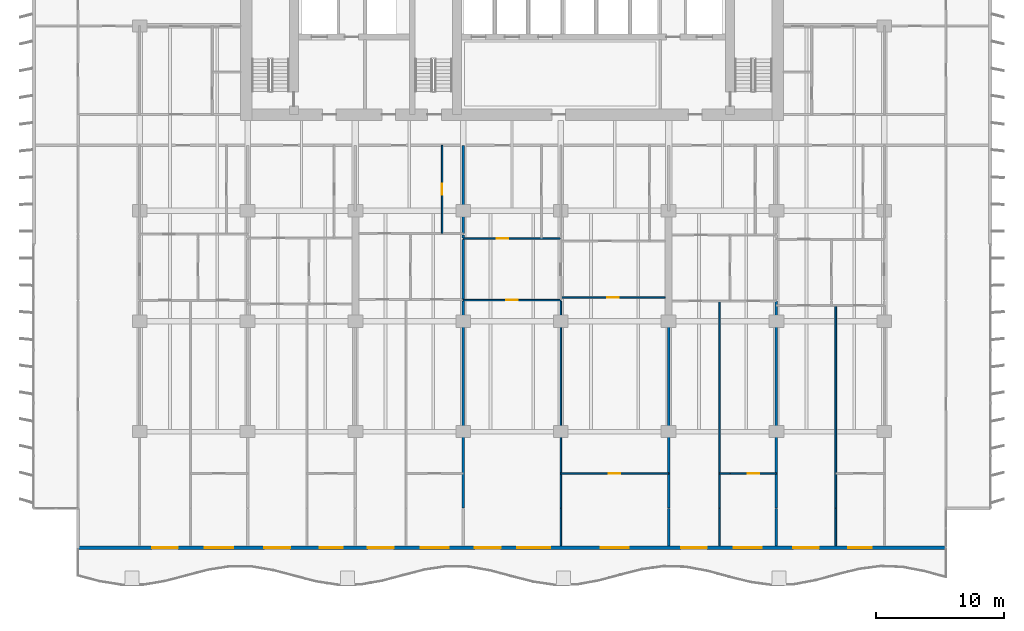
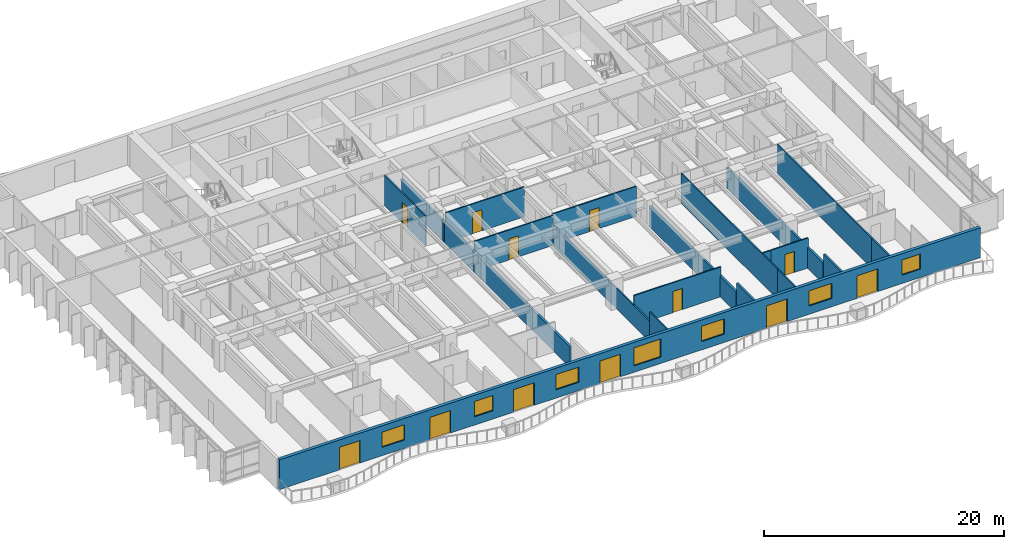
# One storey, part 8 of 17: 22 walls, 12 doors, 7 windows, 19 openings.
"""IFC4 building model written with IfcOpenShell, lengths in metres."""

from ifc_helpers import new_model, si_unit, direction, frame, frame_2d, origin, place, context, subcontext, project, spatial, rectangle, extrude, material, layer, layer_set, type_object, element, fill, save


model = new_model("IFC4")

# Units and contexts
model_context = context("Model", 3, precision=1e-05, world=origin(), true_north=direction((0.0, 1.0)))
body_context = subcontext(model_context, "Body", "Model", "MODEL_VIEW")
ifc_project = project(units=[si_unit("LENGTHUNIT", "METRE"), si_unit("AREAUNIT", "SQUARE_METRE"), si_unit("VOLUMEUNIT", "CUBIC_METRE"), si_unit("PLANEANGLEUNIT", "RADIAN"), si_unit("MASSUNIT", "GRAM", prefix="KILO")], contexts=[model_context])

# Site, building, storey
site_placement = place(None, origin())
site = spatial("IfcSite", under=ifc_project, at=site_placement, CompositionType="ELEMENT")
building_placement = place(site_placement, origin())
building = spatial("IfcBuilding", under=site, at=building_placement, Name="Caelmar Bay Residences", CompositionType="ELEMENT")
storey_placement = place(building_placement, frame((0.0, 0.0, 30.0)))
storey = spatial("IfcBuildingStorey", under=building, at=storey_placement, Name="L06", CompositionType="ELEMENT", Elevation=30.0)

# Wall, openings, doors, windows
ifc_material_1 = material(Name="Precast concrete f'c 40 MPa (6,000 psi)", Category="concrete")
ifc_layer_1 = layer(ifc_material_1, 0.300048828125)
ifc_layer_set_1 = layer_set([ifc_layer_1], Name="Precast concrete f'c 40 MPa (6,000 psi)")
wall_type_1 = type_object("IfcWallType", Name="W-EXT-300", PredefinedType="STANDARD", material=ifc_layer_set_1)
wall_1_placement = place(storey_placement, frame((72.699951171875, 3.14990234375, 0.0), z_axis=(0.0, 0.0, 1.0), x_axis=(-1.0, 0.0, 0.0)))
wall_1 = element("IfcWall", 1, at=wall_1_placement, inside=storey, type_object=wall_type_1, Name="L06 South Bayfront Exterior Wall", PredefinedType="STANDARD", context=body_context, shape_type="SweptSolid", body=[
    extrude(rectangle(XDim=67.599853515625, YDim=0.300048828125, at=frame_2d((33.7998046875, 0.0))), origin(), (0.0, 0.0, 1.0), 3.050048828125),
])
opening_1_placement = place(wall_1_placement, frame((59.825927734375, 0.0, 0.0)))
opening_1 = element("IfcOpeningElement", 2, at=opening_1_placement, cuts=wall_1, Name="Opening L06-BD01", PredefinedType="OPENING", context=body_context, shape_type="SweptSolid", body=[
    extrude(rectangle(XDim=2.0, YDim=2.300048828125, at=frame_2d((1.0, 1.14990234375))), frame((0.0, 0.159912109375, 0.0), z_axis=(0.0, -1.0, 0.0), x_axis=(1.0, 0.0, 0.0)), (0.0, 0.0, 1.0), 0.320068359375),
])
opening_2_placement = place(wall_1_placement, frame((55.52587890625, 0.0, 0.85009765625)))
opening_2 = element("IfcOpeningElement", 3, at=opening_2_placement, cuts=wall_1, Name="Opening WN2", PredefinedType="OPENING", context=body_context, shape_type="SweptSolid", body=[
    extrude(rectangle(XDim=2.199951171875, YDim=1.550048828125, at=frame_2d((1.10009765625, 0.77490234375))), frame((0.0, 0.159912109375, 0.0), z_axis=(0.0, -1.0, 0.0), x_axis=(1.0, 0.0, 0.0)), (0.0, 0.0, 1.0), 0.320068359375),
])
opening_3_placement = place(wall_1_placement, frame((51.090087890625, 0.0, 0.0)))
opening_3 = element("IfcOpeningElement", 4, at=opening_3_placement, cuts=wall_1, Name="Opening L06-BD02", PredefinedType="OPENING", context=body_context, shape_type="SweptSolid", body=[
    extrude(rectangle(XDim=2.0, YDim=2.300048828125, at=frame_2d((1.0, 1.14990234375))), frame((0.0, 0.159912109375, 0.0), z_axis=(0.0, -1.0, 0.0), x_axis=(1.0, 0.0, 0.0)), (0.0, 0.0, 1.0), 0.320068359375),
])
opening_4_placement = place(wall_1_placement, frame((46.989990234375, 0.0, 0.85009765625)))
opening_4 = element("IfcOpeningElement", 5, at=opening_4_placement, cuts=wall_1, Name="Opening WN1", PredefinedType="OPENING", context=body_context, shape_type="SweptSolid", body=[
    extrude(rectangle(XDim=1.800048828125, YDim=1.550048828125, at=frame_2d((0.89990234375, 0.77490234375))), frame((0.0, 0.159912109375, 0.0), z_axis=(0.0, -1.0, 0.0), x_axis=(1.0, 0.0, 0.0)), (0.0, 0.0, 1.0), 0.320068359375),
])
opening_5_placement = place(wall_1_placement, frame((43.02587890625, 0.0, 0.0)))
opening_5 = element("IfcOpeningElement", 6, at=opening_5_placement, cuts=wall_1, Name="Opening L06-BD03", PredefinedType="OPENING", context=body_context, shape_type="SweptSolid", body=[
    extrude(rectangle(XDim=2.0, YDim=2.300048828125, at=frame_2d((1.0, 1.14990234375))), frame((0.0, 0.159912109375, 0.0), z_axis=(0.0, -1.0, 0.0), x_axis=(1.0, 0.0, 0.0)), (0.0, 0.0, 1.0), 0.320068359375),
])
opening_6_placement = place(wall_1_placement, frame((38.72607421875, 0.0, 0.85009765625)))
opening_6 = element("IfcOpeningElement", 7, at=opening_6_placement, cuts=wall_1, Name="Opening WN2", PredefinedType="OPENING", context=body_context, shape_type="SweptSolid", body=[
    extrude(rectangle(XDim=2.199951171875, YDim=1.550048828125, at=frame_2d((1.10009765625, 0.77490234375))), frame((0.0, 0.159912109375, 0.0), z_axis=(0.0, -1.0, 0.0), x_axis=(1.0, 0.0, 0.0)), (0.0, 0.0, 1.0), 0.320068359375),
])
opening_7_placement = place(wall_1_placement, frame((34.68994140625, 0.0, 0.0)))
opening_7 = element("IfcOpeningElement", 8, at=opening_7_placement, cuts=wall_1, Name="Opening L06-BD04", PredefinedType="OPENING", context=body_context, shape_type="SweptSolid", body=[
    extrude(rectangle(XDim=2.0, YDim=2.300048828125, at=frame_2d((1.0, 1.14990234375))), frame((0.0, 0.159912109375, 0.0), z_axis=(0.0, -1.0, 0.0), x_axis=(1.0, 0.0, 0.0)), (0.0, 0.0, 1.0), 0.320068359375),
])
opening_8_placement = place(wall_1_placement, frame((30.81005859375, 0.0, 0.64990234375)))
opening_8 = element("IfcOpeningElement", 9, at=opening_8_placement, cuts=wall_1, Name="Opening WN3", PredefinedType="OPENING", context=body_context, shape_type="SweptSolid", body=[
    extrude(rectangle(XDim=2.60009765625, YDim=1.85009765625, at=frame_2d((1.300048828125, 0.925048828125))), frame((0.0, 0.159912109375, 0.0), z_axis=(0.0, -1.0, 0.0), x_axis=(1.0, 0.0, 0.0)), (0.0, 0.0, 1.0), 0.320068359375),
])
opening_9_placement = place(wall_1_placement, frame((24.699951171875, 0.0, 0.85009765625)))
opening_9 = element("IfcOpeningElement", 10, at=opening_9_placement, cuts=wall_1, Name="Opening WN2", PredefinedType="OPENING", context=body_context, shape_type="SweptSolid", body=[
    extrude(rectangle(XDim=2.199951171875, YDim=1.550048828125, at=frame_2d((1.10009765625, 0.77490234375))), frame((0.0, 0.159912109375, 0.0), z_axis=(0.0, -1.0, 0.0), x_axis=(1.0, 0.0, 0.0)), (0.0, 0.0, 1.0), 0.320068359375),
])
opening_10_placement = place(wall_1_placement, frame((18.6259765625, 0.0, 0.0)))
opening_10 = element("IfcOpeningElement", 11, at=opening_10_placement, cuts=wall_1, Name="Opening L06-BD05", PredefinedType="OPENING", context=body_context, shape_type="SweptSolid", body=[
    extrude(rectangle(XDim=2.0, YDim=2.300048828125, at=frame_2d((1.0, 1.14990234375))), frame((0.0, 0.159912109375, 0.0), z_axis=(0.0, -1.0, 0.0), x_axis=(1.0, 0.0, 0.0)), (0.0, 0.0, 1.0), 0.320068359375),
])
opening_11_placement = place(wall_1_placement, frame((14.325927734375, 0.0, 0.85009765625)))
opening_11 = element("IfcOpeningElement", 12, at=opening_11_placement, cuts=wall_1, Name="Opening WN2", PredefinedType="OPENING", context=body_context, shape_type="SweptSolid", body=[
    extrude(rectangle(XDim=2.199951171875, YDim=1.550048828125, at=frame_2d((1.10009765625, 0.77490234375))), frame((0.0, 0.159912109375, 0.0), z_axis=(0.0, -1.0, 0.0), x_axis=(1.0, 0.0, 0.0)), (0.0, 0.0, 1.0), 0.320068359375),
])
opening_12_placement = place(wall_1_placement, frame((9.889892578125, 0.0, 0.0)))
opening_12 = element("IfcOpeningElement", 13, at=opening_12_placement, cuts=wall_1, Name="Opening L06-BD06", PredefinedType="OPENING", context=body_context, shape_type="SweptSolid", body=[
    extrude(rectangle(XDim=2.0, YDim=2.300048828125, at=frame_2d((1.0, 1.14990234375))), frame((0.0, 0.159912109375, 0.0), z_axis=(0.0, -1.0, 0.0), x_axis=(1.0, 0.0, 0.0)), (0.0, 0.0, 1.0), 0.320068359375),
])
opening_13_placement = place(wall_1_placement, frame((5.7900390625, 0.0, 0.85009765625)))
opening_13 = element("IfcOpeningElement", 14, at=opening_13_placement, cuts=wall_1, Name="Opening WN1", PredefinedType="OPENING", context=body_context, shape_type="SweptSolid", body=[
    extrude(rectangle(XDim=1.800048828125, YDim=1.550048828125, at=frame_2d((0.89990234375, 0.77490234375))), frame((0.0, 0.159912109375, 0.0), z_axis=(0.0, -1.0, 0.0), x_axis=(1.0, 0.0, 0.0)), (0.0, 0.0, 1.0), 0.320068359375),
])
ifc_material_2 = material(Name="Anodised bronze thermally broken sliding glass door", Category="glass")
ifc_layer_2 = layer(ifc_material_2, 0.050048828125)
ifc_layer_set_2 = layer_set([ifc_layer_2], Name="Anodised bronze thermally broken sliding glass door")
door_type_1 = type_object("IfcDoorType", Name="D-BAL-2000", OperationType="DOUBLE_DOOR_SLIDING", PredefinedType="DOOR", material=ifc_layer_set_2)
door_1_placement = place(opening_1_placement, origin())
door_1 = element("IfcDoor", 15, at=door_1_placement, inside=storey, type_object=door_type_1, Name="L06 Residence 01 Penthouse Living Salon Balcony Door", OperationType="DOUBLE_DOOR_SLIDING", OverallHeight=2.300048828125, OverallWidth=2.0, PredefinedType="DOOR", context=body_context, shape_type="SweptSolid", body=[
    extrude(rectangle(XDim=2.0, YDim=2.300048828125, at=frame_2d((1.0, 1.14990234375))), frame((0.0, 0.02490234375, 0.0), z_axis=(0.0, -1.0, 0.0), x_axis=(1.0, 0.0, 0.0)), (0.0, 0.0, 1.0), 0.050048828125),
])
fill(opening_1, door_1)
door_2_placement = place(opening_3_placement, origin())
door_2 = element("IfcDoor", 16, at=door_2_placement, inside=storey, type_object=door_type_1, Name="L06 Residence 02 Penthouse Living Salon Balcony Door", OperationType="DOUBLE_DOOR_SLIDING", OverallHeight=2.300048828125, OverallWidth=2.0, PredefinedType="DOOR", context=body_context, shape_type="SweptSolid", body=[
    extrude(rectangle(XDim=2.0, YDim=2.300048828125, at=frame_2d((1.0, 1.14990234375))), frame((0.0, 0.02490234375, 0.0), z_axis=(0.0, -1.0, 0.0), x_axis=(1.0, 0.0, 0.0)), (0.0, 0.0, 1.0), 0.050048828125),
])
fill(opening_3, door_2)
door_3_placement = place(opening_5_placement, origin())
door_3 = element("IfcDoor", 17, at=door_3_placement, inside=storey, type_object=door_type_1, Name="L06 Residence 03 Penthouse Living Salon Balcony Door", OperationType="DOUBLE_DOOR_SLIDING", OverallHeight=2.300048828125, OverallWidth=2.0, PredefinedType="DOOR", context=body_context, shape_type="SweptSolid", body=[
    extrude(rectangle(XDim=2.0, YDim=2.300048828125, at=frame_2d((1.0, 1.14990234375))), frame((0.0, 0.02490234375, 0.0), z_axis=(0.0, -1.0, 0.0), x_axis=(1.0, 0.0, 0.0)), (0.0, 0.0, 1.0), 0.050048828125),
])
fill(opening_5, door_3)
door_4_placement = place(opening_7_placement, origin())
door_4 = element("IfcDoor", 18, at=door_4_placement, inside=storey, type_object=door_type_1, Name="L06 Residence 04 Penthouse Living Salon Balcony Door", OperationType="DOUBLE_DOOR_SLIDING", OverallHeight=2.300048828125, OverallWidth=2.0, PredefinedType="DOOR", context=body_context, shape_type="SweptSolid", body=[
    extrude(rectangle(XDim=2.0, YDim=2.300048828125, at=frame_2d((1.0, 1.14990234375))), frame((0.0, 0.02490234375, 0.0), z_axis=(0.0, -1.0, 0.0), x_axis=(1.0, 0.0, 0.0)), (0.0, 0.0, 1.0), 0.050048828125),
])
fill(opening_7, door_4)
door_5_placement = place(opening_10_placement, origin())
door_5 = element("IfcDoor", 19, at=door_5_placement, inside=storey, type_object=door_type_1, Name="L06 Residence 05 Living Room Balcony Door", OperationType="DOUBLE_DOOR_SLIDING", OverallHeight=2.300048828125, OverallWidth=2.0, PredefinedType="DOOR", context=body_context, shape_type="SweptSolid", body=[
    extrude(rectangle(XDim=2.0, YDim=2.300048828125, at=frame_2d((1.0, 1.14990234375))), frame((0.0, 0.02490234375, 0.0), z_axis=(0.0, -1.0, 0.0), x_axis=(1.0, 0.0, 0.0)), (0.0, 0.0, 1.0), 0.050048828125),
])
fill(opening_10, door_5)
door_6_placement = place(opening_12_placement, origin())
door_6 = element("IfcDoor", 20, at=door_6_placement, inside=storey, type_object=door_type_1, Name="L06 Residence 06 Penthouse Living Salon Balcony Door", OperationType="DOUBLE_DOOR_SLIDING", OverallHeight=2.300048828125, OverallWidth=2.0, PredefinedType="DOOR", context=body_context, shape_type="SweptSolid", body=[
    extrude(rectangle(XDim=2.0, YDim=2.300048828125, at=frame_2d((1.0, 1.14990234375))), frame((0.0, 0.02490234375, 0.0), z_axis=(0.0, -1.0, 0.0), x_axis=(1.0, 0.0, 0.0)), (0.0, 0.0, 1.0), 0.050048828125),
])
fill(opening_12, door_6)
ifc_material_3 = material(Name="Bronze aluminium frame with laminated low-E glass", Category="aluminium")
ifc_layer_3 = layer(ifc_material_3, 0.06005859375)
ifc_layer_set_3 = layer_set([ifc_layer_3], Name="Bronze aluminium frame with laminated low-E glass")
window_type_1 = type_object("IfcWindowType", Name="WIN-BR-1800", PartitioningType="SINGLE_PANEL", PredefinedType="WINDOW", material=ifc_layer_set_3)
window_1_placement = place(opening_4_placement, origin())
window_1 = element("IfcWindow", 21, at=window_1_placement, inside=storey, type_object=window_type_1, Name="L06 Residence 02 Primary Bedroom Window", OverallHeight=1.550048828125, OverallWidth=1.800048828125, PartitioningType="SINGLE_PANEL", PredefinedType="WINDOW", context=body_context, shape_type="SweptSolid", body=[
    extrude(rectangle(XDim=1.800048828125, YDim=1.550048828125, at=frame_2d((0.89990234375, 0.77490234375))), frame((0.0, 0.030029296875, 0.0), z_axis=(0.0, -1.0, 0.0), x_axis=(1.0, 0.0, 0.0)), (0.0, 0.0, 1.0), 0.06005859375),
])
fill(opening_4, window_1)
window_2_placement = place(opening_13_placement, origin())
window_2 = element("IfcWindow", 22, at=window_2_placement, inside=storey, type_object=window_type_1, Name="L06 Residence 06 Primary Bedroom Window", OverallHeight=1.550048828125, OverallWidth=1.800048828125, PartitioningType="SINGLE_PANEL", PredefinedType="WINDOW", context=body_context, shape_type="SweptSolid", body=[
    extrude(rectangle(XDim=1.800048828125, YDim=1.550048828125, at=frame_2d((0.89990234375, 0.77490234375))), frame((0.0, 0.030029296875, 0.0), z_axis=(0.0, -1.0, 0.0), x_axis=(1.0, 0.0, 0.0)), (0.0, 0.0, 1.0), 0.06005859375),
])
fill(opening_13, window_2)
ifc_layer_4 = layer(ifc_material_3, 0.06005859375)
ifc_layer_set_4 = layer_set([ifc_layer_4], Name="Bronze aluminium frame with laminated low-E glass")
window_type_2 = type_object("IfcWindowType", Name="WIN-BR-2200", PartitioningType="SINGLE_PANEL", PredefinedType="WINDOW", material=ifc_layer_set_4)
window_3_placement = place(opening_2_placement, origin())
window_3 = element("IfcWindow", 23, at=window_3_placement, inside=storey, type_object=window_type_2, Name="L06 Residence 01 Primary Bedroom Window", OverallHeight=1.550048828125, OverallWidth=2.199951171875, PartitioningType="SINGLE_PANEL", PredefinedType="WINDOW", context=body_context, shape_type="SweptSolid", body=[
    extrude(rectangle(XDim=2.199951171875, YDim=1.550048828125, at=frame_2d((1.10009765625, 0.77490234375))), frame((0.0, 0.030029296875, 0.0), z_axis=(0.0, -1.0, 0.0), x_axis=(1.0, 0.0, 0.0)), (0.0, 0.0, 1.0), 0.06005859375),
])
fill(opening_2, window_3)
window_4_placement = place(opening_6_placement, origin())
window_4 = element("IfcWindow", 24, at=window_4_placement, inside=storey, type_object=window_type_2, Name="L06 Residence 03 Primary Bedroom Window", OverallHeight=1.550048828125, OverallWidth=2.199951171875, PartitioningType="SINGLE_PANEL", PredefinedType="WINDOW", context=body_context, shape_type="SweptSolid", body=[
    extrude(rectangle(XDim=2.199951171875, YDim=1.550048828125, at=frame_2d((1.10009765625, 0.77490234375))), frame((0.0, 0.030029296875, 0.0), z_axis=(0.0, -1.0, 0.0), x_axis=(1.0, 0.0, 0.0)), (0.0, 0.0, 1.0), 0.06005859375),
])
fill(opening_6, window_4)
window_5_placement = place(opening_9_placement, origin())
window_5 = element("IfcWindow", 25, at=window_5_placement, inside=storey, type_object=window_type_2, Name="L06 Residence 04 Primary Bedroom 1 Window", OverallHeight=1.550048828125, OverallWidth=2.199951171875, PartitioningType="SINGLE_PANEL", PredefinedType="WINDOW", context=body_context, shape_type="SweptSolid", body=[
    extrude(rectangle(XDim=2.199951171875, YDim=1.550048828125, at=frame_2d((1.10009765625, 0.77490234375))), frame((0.0, 0.030029296875, 0.0), z_axis=(0.0, -1.0, 0.0), x_axis=(1.0, 0.0, 0.0)), (0.0, 0.0, 1.0), 0.06005859375),
])
fill(opening_9, window_5)
window_6_placement = place(opening_11_placement, origin())
window_6 = element("IfcWindow", 26, at=window_6_placement, inside=storey, type_object=window_type_2, Name="L06 Residence 05 Primary Bedroom Window", OverallHeight=1.550048828125, OverallWidth=2.199951171875, PartitioningType="SINGLE_PANEL", PredefinedType="WINDOW", context=body_context, shape_type="SweptSolid", body=[
    extrude(rectangle(XDim=2.199951171875, YDim=1.550048828125, at=frame_2d((1.10009765625, 0.77490234375))), frame((0.0, 0.030029296875, 0.0), z_axis=(0.0, -1.0, 0.0), x_axis=(1.0, 0.0, 0.0)), (0.0, 0.0, 1.0), 0.06005859375),
])
fill(opening_11, window_6)
ifc_layer_5 = layer(ifc_material_3, 0.06005859375)
ifc_layer_set_5 = layer_set([ifc_layer_5], Name="Bronze aluminium frame with laminated low-E glass")
window_type_3 = type_object("IfcWindowType", Name="WIN-LIV-2600", PartitioningType="SINGLE_PANEL", PredefinedType="WINDOW", material=ifc_layer_set_5)
window_7_placement = place(opening_8_placement, origin())
window_7 = element("IfcWindow", 27, at=window_7_placement, inside=storey, type_object=window_type_3, Name="L06 Residence 04 Penthouse Living Salon Panoramic Window", OverallHeight=1.85009765625, OverallWidth=2.60009765625, PartitioningType="SINGLE_PANEL", PredefinedType="WINDOW", context=body_context, shape_type="SweptSolid", body=[
    extrude(rectangle(XDim=2.60009765625, YDim=1.85009765625, at=frame_2d((1.300048828125, 0.925048828125))), frame((0.0, 0.030029296875, 0.0), z_axis=(0.0, -1.0, 0.0), x_axis=(1.0, 0.0, 0.0)), (0.0, 0.0, 1.0), 0.06005859375),
])
fill(opening_8, window_7)

# Wall, opening, door
ifc_material_4 = material(Name="Acoustic metal-stud gypsum partition 120 mm")
ifc_layer_6 = layer(ifc_material_4, 0.1201171875)
ifc_layer_set_6 = layer_set([ifc_layer_6], Name="Acoustic metal-stud gypsum partition 120 mm")
wall_type_2 = type_object("IfcWallType", Name="W-PRT-120", PredefinedType="PARTITIONING", material=ifc_layer_set_6)
wall_2_placement = place(storey_placement, frame((33.449951171875, 27.639892578125, 0.0), z_axis=(0.0, 0.0, 1.0), x_axis=(0.0, 1.0, 0.0)))
wall_2 = element("IfcWall", 28, at=wall_2_placement, inside=storey, type_object=wall_type_2, Name="L06 Partition Wall V041", PredefinedType="PARTITIONING", context=body_context, shape_type="SweptSolid", body=[
    extrude(rectangle(XDim=6.860107421875, YDim=0.1201171875, at=frame_2d((3.43017578125, 0.0))), origin(), (0.0, 0.0, 1.0), 3.050048828125),
])
opening_14_placement = place(wall_2_placement, frame((3.0048828125, 0.0, 0.0)))
opening_14 = element("IfcOpeningElement", 29, at=opening_14_placement, cuts=wall_2, Name="Opening D-L06-135", PredefinedType="OPENING", context=body_context, shape_type="SweptSolid", body=[
    extrude(rectangle(XDim=0.85009765625, YDim=2.10009765625, at=frame_2d((0.425048828125, 1.050048828125))), frame((0.0, 0.070068359375, 0.0), z_axis=(0.0, -1.0, 0.0), x_axis=(1.0, 0.0, 0.0)), (0.0, 0.0, 1.0), 0.14013671875),
])
ifc_material_5 = material(Name="Solid walnut timber interior door leaf and frame", Category="wood")
ifc_layer_7 = layer(ifc_material_5, 0.050048828125)
ifc_layer_set_7 = layer_set([ifc_layer_7], Name="Solid walnut timber interior door leaf and frame")
door_type_2 = type_object("IfcDoorType", Name="D-BATH-850", OperationType="NOTDEFINED", PredefinedType="DOOR", material=ifc_layer_set_7)
door_7_placement = place(opening_14_placement, origin())
door_7 = element("IfcDoor", 30, at=door_7_placement, inside=storey, type_object=door_type_2, Name="L06 Residence 03 Bathroom Door", OperationType="SINGLE_SWING_LEFT", OverallHeight=2.10009765625, OverallWidth=0.85009765625, PredefinedType="DOOR", context=body_context, shape_type="SweptSolid", body=[
    extrude(rectangle(XDim=0.85009765625, YDim=2.10009765625, at=frame_2d((0.425048828125, 1.050048828125))), frame((0.0, 0.02490234375, 0.0), z_axis=(0.0, -1.0, 0.0), x_axis=(1.0, 0.0, 0.0)), (0.0, 0.0, 1.0), 0.050048828125),
])
fill(opening_14, door_7)

# Walls
wall_3_placement = place(storey_placement, frame((42.699951171875, 3.294921875, 0.0), z_axis=(0.0, 0.0, 1.0), x_axis=(0.0, 1.0, 0.0)))
element("IfcWall", 31, at=wall_3_placement, inside=storey, type_object=wall_type_2, Name="L06 Partition Wall V052", PredefinedType="PARTITIONING", context=body_context, shape_type="SweptSolid", body=[
    extrude(rectangle(XDim=2.905029296875, YDim=0.1201171875, at=frame_2d((1.45263671875, 0.0))), origin(), (0.0, 0.0, 1.0), 3.050048828125),
])
wall_4_placement = place(storey_placement, frame((42.699951171875, 6.239990234375, 0.0), z_axis=(0.0, 0.0, 1.0), x_axis=(0.0, 1.0, 0.0)))
element("IfcWall", 32, at=wall_4_placement, inside=storey, type_object=wall_type_2, Name="L06 Partition Wall V053", PredefinedType="PARTITIONING", context=body_context, shape_type="SweptSolid", body=[
    extrude(rectangle(XDim=16.130126953125, YDim=0.1201171875, at=frame_2d((8.06494140625, 0.0))), origin(), (0.0, 0.0, 1.0), 2.110107421875),
])
wall_5_placement = place(storey_placement, frame((55.048095703125, 3.294921875, 0.0), z_axis=(0.0, 0.0, 1.0), x_axis=(0.0, 1.0, 0.0)))
element("IfcWall", 33, at=wall_5_placement, inside=storey, type_object=wall_type_2, Name="L06 Partition Wall V069", PredefinedType="PARTITIONING", context=body_context, shape_type="SweptSolid", body=[
    extrude(rectangle(XDim=2.905029296875, YDim=0.1201171875, at=frame_2d((1.45263671875, 0.0))), origin(), (0.0, 0.0, 1.0), 3.050048828125),
])
wall_6_placement = place(storey_placement, frame((55.048095703125, 6.239990234375, 0.0), z_axis=(0.0, 0.0, 1.0), x_axis=(0.0, 1.0, 0.0)))
element("IfcWall", 34, at=wall_6_placement, inside=storey, type_object=wall_type_2, Name="L06 Partition Wall V070", PredefinedType="PARTITIONING", context=body_context, shape_type="SweptSolid", body=[
    extrude(rectangle(XDim=16.130126953125, YDim=0.1201171875, at=frame_2d((8.06494140625, 0.0))), origin(), (0.0, 0.0, 1.0), 3.050048828125),
])
wall_7_placement = place(storey_placement, frame((64.1201171875, 3.294921875, 0.0), z_axis=(0.0, 0.0, 1.0), x_axis=(0.0, 1.0, 0.0)))
element("IfcWall", 35, at=wall_7_placement, inside=storey, type_object=wall_type_2, Name="L06 Partition Wall V083", PredefinedType="PARTITIONING", context=body_context, shape_type="SweptSolid", body=[
    extrude(rectangle(XDim=2.905029296875, YDim=0.1201171875, at=frame_2d((1.45263671875, 0.0))), origin(), (0.0, 0.0, 1.0), 3.050048828125),
])
wall_8_placement = place(storey_placement, frame((64.1201171875, 6.239990234375, 0.0), z_axis=(0.0, 0.0, 1.0), x_axis=(0.0, 1.0, 0.0)))
element("IfcWall", 36, at=wall_8_placement, inside=storey, type_object=wall_type_2, Name="L06 Partition Wall V084", PredefinedType="PARTITIONING", context=body_context, shape_type="SweptSolid", body=[
    extrude(rectangle(XDim=15.7900390625, YDim=0.1201171875, at=frame_2d((7.89501953125, 0.0))), origin(), (0.0, 0.0, 1.0), 3.050048828125),
])

# Wall, opening, door
wall_9_placement = place(storey_placement, frame((42.699951171875, 8.949951171875, 0.0), z_axis=(0.0, 0.0, 1.0), x_axis=(1.0, 0.0, 0.0)))
wall_9 = element("IfcWall", 37, at=wall_9_placement, inside=storey, type_object=wall_type_2, Name="L06 Partition Wall H103", PredefinedType="PARTITIONING", context=body_context, shape_type="SweptSolid", body=[
    extrude(rectangle(XDim=8.400146484375, YDim=0.1201171875, at=frame_2d((4.2001953125, 0.0))), origin(), (0.0, 0.0, 1.0), 3.050048828125),
])
opening_15_placement = place(wall_9_placement, frame((3.75, 0.0, 0.0)))
opening_15 = element("IfcOpeningElement", 38, at=opening_15_placement, cuts=wall_9, Name="Opening D-L06-149", PredefinedType="OPENING", context=body_context, shape_type="SweptSolid", body=[
    extrude(rectangle(XDim=0.89990234375, YDim=2.14990234375, at=frame_2d((0.449951171875, 1.074951171875))), frame((0.0, 0.070068359375, 0.0), z_axis=(0.0, -1.0, 0.0), x_axis=(1.0, 0.0, 0.0)), (0.0, 0.0, 1.0), 0.14013671875),
])
ifc_layer_8 = layer(ifc_material_5, 0.050048828125)
ifc_layer_set_8 = layer_set([ifc_layer_8], Name="Solid walnut timber interior door leaf and frame")
door_type_3 = type_object("IfcDoorType", Name="D-ROOM-900", OperationType="NOTDEFINED", PredefinedType="DOOR", material=ifc_layer_set_8)
door_8_placement = place(opening_15_placement, origin())
door_8 = element("IfcDoor", 39, at=door_8_placement, inside=storey, type_object=door_type_3, Name="L06 Residence 04 Primary Bedroom 1 Door", OperationType="SINGLE_SWING_LEFT", OverallHeight=2.14990234375, OverallWidth=0.89990234375, PredefinedType="DOOR", context=body_context, shape_type="SweptSolid", body=[
    extrude(rectangle(XDim=0.89990234375, YDim=2.14990234375, at=frame_2d((0.449951171875, 1.074951171875))), frame((0.0, 0.02490234375, 0.0), z_axis=(0.0, -1.0, 0.0), x_axis=(1.0, 0.0, 0.0)), (0.0, 0.0, 1.0), 0.050048828125),
])
fill(opening_15, door_8)

# Wall
wall_10_placement = place(storey_placement, frame((55.048095703125, 8.949951171875, 0.0), z_axis=(0.0, 0.0, 1.0), x_axis=(1.0, 0.0, 0.0)))
element("IfcWall", 40, at=wall_10_placement, inside=storey, type_object=wall_type_2, Name="L06 Partition Wall H104", PredefinedType="PARTITIONING", context=body_context, shape_type="SweptSolid", body=[
    extrude(rectangle(XDim=0.837890625, YDim=0.1201171875, at=frame_2d((0.4189453125, 0.0))), origin(), (0.0, 0.0, 1.0), 3.050048828125),
])

# Wall, opening, door
wall_11_placement = place(storey_placement, frame((55.89990234375, 8.949951171875, 0.0), z_axis=(0.0, 0.0, 1.0), x_axis=(1.0, 0.0, 0.0)))
wall_11 = element("IfcWall", 41, at=wall_11_placement, inside=storey, type_object=wall_type_2, Name="L06 Partition Wall H105", PredefinedType="PARTITIONING", context=body_context, shape_type="SweptSolid", body=[
    extrude(rectangle(XDim=3.60009765625, YDim=0.1201171875, at=frame_2d((1.800048828125, 0.0))), origin(), (0.0, 0.0, 1.0), 3.050048828125),
])
opening_16_placement = place(wall_11_placement, frame((1.35009765625, 0.0, 0.0)))
opening_16 = element("IfcOpeningElement", 42, at=opening_16_placement, cuts=wall_11, Name="Opening D-L06-156", PredefinedType="OPENING", context=body_context, shape_type="SweptSolid", body=[
    extrude(rectangle(XDim=0.89990234375, YDim=2.14990234375, at=frame_2d((0.449951171875, 1.074951171875))), frame((0.0, 0.070068359375, 0.0), z_axis=(0.0, -1.0, 0.0), x_axis=(1.0, 0.0, 0.0)), (0.0, 0.0, 1.0), 0.14013671875),
])
door_9_placement = place(opening_16_placement, origin())
door_9 = element("IfcDoor", 43, at=door_9_placement, inside=storey, type_object=door_type_3, Name="L06 Residence 05 Primary Bedroom Door", OperationType="SINGLE_SWING_RIGHT", OverallHeight=2.14990234375, OverallWidth=0.89990234375, PredefinedType="DOOR", context=body_context, shape_type="SweptSolid", body=[
    extrude(rectangle(XDim=0.89990234375, YDim=2.14990234375, at=frame_2d((0.449951171875, 1.074951171875))), frame((0.0, 0.02490234375, 0.0), z_axis=(0.0, -1.0, 0.0), x_axis=(1.0, 0.0, 0.0)), (0.0, 0.0, 1.0), 0.050048828125),
])
fill(opening_16, door_9)

wall_12_placement = place(storey_placement, frame((35.10009765625, 22.43994140625, 0.0), z_axis=(0.0, 0.0, 1.0), x_axis=(1.0, 0.0, 0.0)))
wall_12 = element("IfcWall", 44, at=wall_12_placement, inside=storey, type_object=wall_type_2, Name="L06 Partition Wall H112", PredefinedType="PARTITIONING", context=body_context, shape_type="SweptSolid", body=[
    extrude(rectangle(XDim=7.599853515625, YDim=0.1201171875, at=frame_2d((3.7998046875, 0.0))), origin(), (0.0, 0.0, 1.0), 3.050048828125),
])
opening_17_placement = place(wall_12_placement, frame((3.35009765625, 0.0, 0.0)))
opening_17 = element("IfcOpeningElement", 45, at=opening_17_placement, cuts=wall_12, Name="Opening D-L06-144", PredefinedType="OPENING", context=body_context, shape_type="SweptSolid", body=[
    extrude(rectangle(XDim=0.89990234375, YDim=2.14990234375, at=frame_2d((0.449951171875, 1.074951171875))), frame((0.0, 0.070068359375, 0.0), z_axis=(0.0, -1.0, 0.0), x_axis=(1.0, 0.0, 0.0)), (0.0, 0.0, 1.0), 0.14013671875),
])
door_10_placement = place(opening_17_placement, origin())
door_10 = element("IfcDoor", 46, at=door_10_placement, inside=storey, type_object=door_type_3, Name="L06 Residence 04 Penthouse Living Salon Door", OperationType="SINGLE_SWING_RIGHT", OverallHeight=2.14990234375, OverallWidth=0.89990234375, PredefinedType="DOOR", context=body_context, shape_type="SweptSolid", body=[
    extrude(rectangle(XDim=0.89990234375, YDim=2.14990234375, at=frame_2d((0.449951171875, 1.074951171875))), frame((0.0, 0.02490234375, 0.0), z_axis=(0.0, -1.0, 0.0), x_axis=(1.0, 0.0, 0.0)), (0.0, 0.0, 1.0), 0.050048828125),
])
fill(opening_17, door_10)

wall_13_placement = place(storey_placement, frame((42.705078125, 22.639892578125, 0.0), z_axis=(0.0, 0.0, 1.0), x_axis=(1.0, 0.0, 0.0)))
wall_13 = element("IfcWall", 47, at=wall_13_placement, inside=storey, type_object=wall_type_2, Name="L06 Partition Wall H114", PredefinedType="PARTITIONING", context=body_context, shape_type="SweptSolid", body=[
    extrude(rectangle(XDim=8.125, YDim=0.1201171875, at=frame_2d((4.0625, 0.0))), origin(), (0.0, 0.0, 1.0), 3.050048828125),
])
opening_18_placement = place(wall_13_placement, frame((3.612548828125, 0.0, 0.0)))
opening_18 = element("IfcOpeningElement", 48, at=opening_18_placement, cuts=wall_13, Name="Opening D-L06-148", PredefinedType="OPENING", context=body_context, shape_type="SweptSolid", body=[
    extrude(rectangle(XDim=0.89990234375, YDim=2.14990234375, at=frame_2d((0.449951171875, 1.074951171875))), frame((0.0, 0.070068359375, 0.0), z_axis=(0.0, -1.0, 0.0), x_axis=(1.0, 0.0, 0.0)), (0.0, 0.0, 1.0), 0.14013671875),
])
door_11_placement = place(opening_18_placement, origin())
door_11 = element("IfcDoor", 49, at=door_11_placement, inside=storey, type_object=door_type_3, Name="L06 Residence 04 Penthouse Sitting Salon 1 Door", OperationType="SINGLE_SWING_RIGHT", OverallHeight=2.14990234375, OverallWidth=0.89990234375, PredefinedType="DOOR", context=body_context, shape_type="SweptSolid", body=[
    extrude(rectangle(XDim=0.89990234375, YDim=2.14990234375, at=frame_2d((0.449951171875, 1.074951171875))), frame((0.0, 0.02490234375, 0.0), z_axis=(0.0, -1.0, 0.0), x_axis=(1.0, 0.0, 0.0)), (0.0, 0.0, 1.0), 0.050048828125),
])
fill(opening_18, door_11)

wall_14_placement = place(storey_placement, frame((35.10009765625, 27.239990234375, 0.0), z_axis=(0.0, 0.0, 1.0), x_axis=(1.0, 0.0, 0.0)))
wall_14 = element("IfcWall", 50, at=wall_14_placement, inside=storey, type_object=wall_type_2, Name="L06 Partition Wall H117", PredefinedType="PARTITIONING", context=body_context, shape_type="SweptSolid", body=[
    extrude(rectangle(XDim=7.594970703125, YDim=0.1201171875, at=frame_2d((3.79736328125, 0.0))), origin(), (0.0, 0.0, 1.0), 3.050048828125),
])
opening_19_placement = place(wall_14_placement, frame((2.60009765625, 0.0, 0.0)))
opening_19 = element("IfcOpeningElement", 51, at=opening_19_placement, cuts=wall_14, Name="Opening D-L06-143", PredefinedType="OPENING", context=body_context, shape_type="SweptSolid", body=[
    extrude(rectangle(XDim=0.89990234375, YDim=2.14990234375, at=frame_2d((0.449951171875, 1.074951171875))), frame((0.0, 0.070068359375, 0.0), z_axis=(0.0, -1.0, 0.0), x_axis=(1.0, 0.0, 0.0)), (0.0, 0.0, 1.0), 0.14013671875),
])
door_12_placement = place(opening_19_placement, origin())
door_12 = element("IfcDoor", 52, at=door_12_placement, inside=storey, type_object=door_type_3, Name="L06 Residence 04 Kitchen Door", OperationType="SINGLE_SWING_LEFT", OverallHeight=2.14990234375, OverallWidth=0.89990234375, PredefinedType="DOOR", context=body_context, shape_type="SweptSolid", body=[
    extrude(rectangle(XDim=0.89990234375, YDim=2.14990234375, at=frame_2d((0.449951171875, 1.074951171875))), frame((0.0, 0.02490234375, 0.0), z_axis=(0.0, -1.0, 0.0), x_axis=(1.0, 0.0, 0.0)), (0.0, 0.0, 1.0), 0.050048828125),
])
fill(opening_19, door_12)

# Walls
ifc_material_6 = material(Name="Acoustic twin-stud fire-rated inter-tenancy partition 200 mm")
ifc_layer_9 = layer(ifc_material_6, 0.199951171875)
ifc_layer_set_9 = layer_set([ifc_layer_9], Name="Acoustic twin-stud fire-rated inter-tenancy partition 200 mm")
wall_type_3 = type_object("IfcWallType", Name="W-PTY-200", PredefinedType="PARTITIONING", material=ifc_layer_set_9)
wall_15_placement = place(storey_placement, frame((35.10009765625, 6.239990234375, 0.0), z_axis=(0.0, 0.0, 1.0), x_axis=(0.0, 1.0, 0.0)))
element("IfcWall", 53, at=wall_15_placement, inside=storey, type_object=wall_type_3, Name="L06 Partition Wall V043", PredefinedType="PARTITIONING", context=body_context, shape_type="SweptSolid", body=[
    extrude(rectangle(XDim=16.130126953125, YDim=0.199951171875, at=frame_2d((8.06494140625, 0.0))), origin(), (0.0, 0.0, 1.0), 2.110107421875),
])
wall_16_placement = place(storey_placement, frame((35.10009765625, 22.489990234375, 0.0), z_axis=(0.0, 0.0, 1.0), x_axis=(0.0, 1.0, 0.0)))
element("IfcWall", 54, at=wall_16_placement, inside=storey, type_object=wall_type_3, Name="L06 Partition Wall V044", PredefinedType="PARTITIONING", context=body_context, shape_type="SweptSolid", body=[
    extrude(rectangle(XDim=4.68994140625, YDim=0.199951171875, at=frame_2d((2.344970703125, 0.0))), origin(), (0.0, 0.0, 1.0), 2.110107421875),
])
wall_17_placement = place(storey_placement, frame((35.10009765625, 27.280029296875, 0.0), z_axis=(0.0, 0.0, 1.0), x_axis=(0.0, 1.0, 0.0)))
element("IfcWall", 55, at=wall_17_placement, inside=storey, type_object=wall_type_3, Name="L06 Partition Wall V045", PredefinedType="PARTITIONING", context=body_context, shape_type="SweptSolid", body=[
    extrude(rectangle(XDim=0.239990234375, YDim=0.199951171875, at=frame_2d((0.1201171875, 0.0))), origin(), (0.0, 0.0, 1.0), 2.110107421875),
])
wall_18_placement = place(storey_placement, frame((35.10009765625, 27.639892578125, 0.0), z_axis=(0.0, 0.0, 1.0), x_axis=(0.0, 1.0, 0.0)))
element("IfcWall", 56, at=wall_18_placement, inside=storey, type_object=wall_type_3, Name="L06 Partition Wall V046", PredefinedType="PARTITIONING", context=body_context, shape_type="SweptSolid", body=[
    extrude(rectangle(XDim=6.860107421875, YDim=0.199951171875, at=frame_2d((3.43017578125, 0.0))), origin(), (0.0, 0.0, 1.0), 2.110107421875),
])
wall_19_placement = place(storey_placement, frame((51.10009765625, 3.294921875, 0.0), z_axis=(0.0, 0.0, 1.0), x_axis=(0.0, 1.0, 0.0)))
element("IfcWall", 57, at=wall_19_placement, inside=storey, type_object=wall_type_3, Name="L06 Partition Wall V065", PredefinedType="PARTITIONING", context=body_context, shape_type="SweptSolid", body=[
    extrude(rectangle(XDim=2.905029296875, YDim=0.199951171875, at=frame_2d((1.45263671875, 0.0))), origin(), (0.0, 0.0, 1.0), 3.050048828125),
])
wall_20_placement = place(storey_placement, frame((51.10009765625, 6.239990234375, 0.0), z_axis=(0.0, 0.0, 1.0), x_axis=(0.0, 1.0, 0.0)))
element("IfcWall", 58, at=wall_20_placement, inside=storey, type_object=wall_type_3, Name="L06 Partition Wall V066", PredefinedType="PARTITIONING", context=body_context, shape_type="SweptSolid", body=[
    extrude(rectangle(XDim=14.554931640625, YDim=0.199951171875, at=frame_2d((7.27734375, 0.0))), origin(), (0.0, 0.0, 1.0), 2.110107421875),
])
wall_21_placement = place(storey_placement, frame((59.5, 3.294921875, 0.0), z_axis=(0.0, 0.0, 1.0), x_axis=(0.0, 1.0, 0.0)))
element("IfcWall", 59, at=wall_21_placement, inside=storey, type_object=wall_type_3, Name="L06 Partition Wall V075", PredefinedType="PARTITIONING", context=body_context, shape_type="SweptSolid", body=[
    extrude(rectangle(XDim=2.905029296875, YDim=0.199951171875, at=frame_2d((1.45263671875, 0.0))), origin(), (0.0, 0.0, 1.0), 3.050048828125),
])
wall_22_placement = place(storey_placement, frame((59.5, 6.239990234375, 0.0), z_axis=(0.0, 0.0, 1.0), x_axis=(0.0, 1.0, 0.0)))
element("IfcWall", 60, at=wall_22_placement, inside=storey, type_object=wall_type_3, Name="L06 Partition Wall V076", PredefinedType="PARTITIONING", context=body_context, shape_type="SweptSolid", body=[
    extrude(rectangle(XDim=16.130126953125, YDim=0.199951171875, at=frame_2d((8.06494140625, 0.0))), origin(), (0.0, 0.0, 1.0), 2.110107421875),
])

save(model, "model.ifc")
